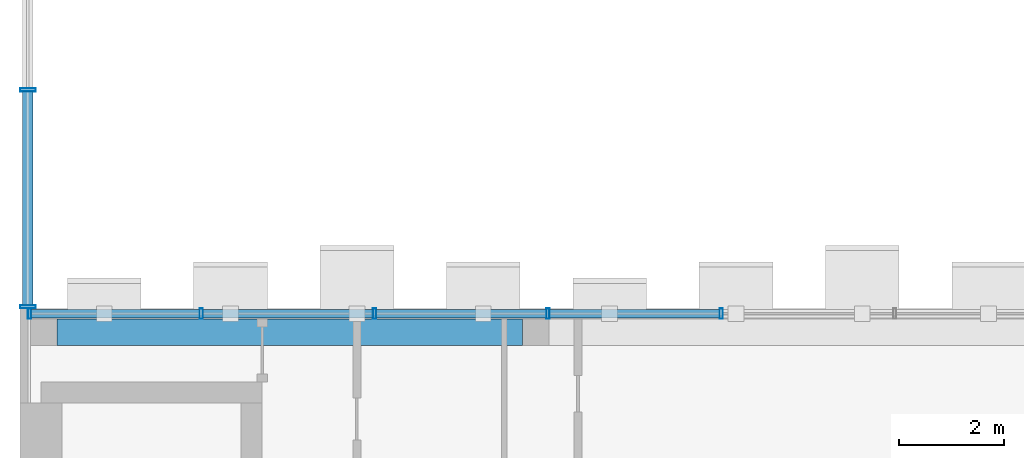
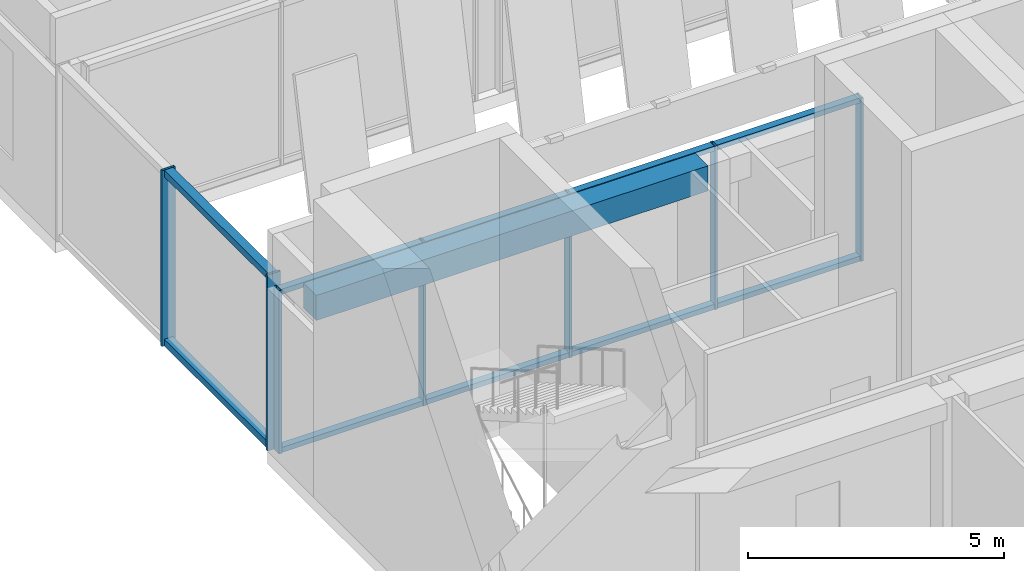
# One storey, part 5 of 26: 17 members, 1 beam, 2 elements without a shape of their own.
"""IFC4 building model written with IfcOpenShell, lengths in metres."""

from ifc_helpers import new_model, si_unit, direction, frame, origin, origin_2d, place, context, subcontext, project, spatial, rectangle, hollow_rectangle, extrude, material, layer, layer_set, material_profile, profile_set, type_object, element, aggregate, save


model = new_model("IFC4")

# Units and contexts
model_context = context("Model", 3, precision=1e-05, world=origin(), true_north=direction((0.0, 1.0)))
body_context = subcontext(model_context, "Body", "Model", "MODEL_VIEW")
ifc_project = project(units=[si_unit("LENGTHUNIT", "METRE"), si_unit("AREAUNIT", "SQUARE_METRE"), si_unit("VOLUMEUNIT", "CUBIC_METRE"), si_unit("PLANEANGLEUNIT", "RADIAN"), si_unit("MASSUNIT", "GRAM", prefix="KILO")], contexts=[model_context])

# Site, building, storey
site_placement = place(None, origin())
site = spatial("IfcSite", under=ifc_project, at=site_placement, CompositionType="ELEMENT")
building_placement = place(site_placement, origin())
building = spatial("IfcBuilding", under=site, at=building_placement, Name="Nzadi Deep Aquarium and Research Tower", CompositionType="ELEMENT")
storey_placement = place(building_placement, frame((0.0, 0.0, 78.10009765625)))
storey = spatial("IfcBuildingStorey", under=building, at=storey_placement, Name="L16", CompositionType="ELEMENT", Elevation=78.10009765625)

# Curtain wall, members
ifc_material_1 = material(Name="Aluminium unitised frame", Category="aluminium")
ifc_layer_1 = layer(ifc_material_1, 0.199951171875)
ifc_layer_set_1 = layer_set([ifc_layer_1], Name="Aluminium unitised frame")
curtain_wall_type_1 = type_object("IfcCurtainWallType", Name="Curtain wall Unitised 200", PredefinedType="NOTDEFINED", material=ifc_layer_set_1)
curtain_wall_1_placement = place(storey_placement, origin())
curtain_wall_1 = element("IfcCurtainWall", 1, at=curtain_wall_1_placement, inside=storey, type_object=curtain_wall_type_1, Name="Unitised curtain wall blade A north L16", PredefinedType="NOTDEFINED")
ifc_material_2 = material(Name="Aluminium unitised frame", Category="aluminium")
ifc_material_profile_1 = material_profile(ifc_material_2, hollow_rectangle(XDim=0.199951171875, YDim=0.06005859375, WallThickness=0.0048828125, at=origin_2d()))
ifc_profile_set_1 = profile_set([ifc_material_profile_1], Name="Aluminium unitised frame")
member_type_1 = type_object("IfcMemberType", Name="Mullion 60x200 Unitised", PredefinedType="MULLION", material=ifc_profile_set_1)
member_1_placement = place(storey_placement, frame((-0.02001953125, 18.75, 0.0), z_axis=(0.0, 0.0, 1.0), x_axis=(0.0, 1.0, 0.0)))
member_1 = element("IfcMember", 2, at=member_1_placement, type_object=member_type_1, Name="CW076 mullion 1", PredefinedType="MULLION", context=body_context, shape_type="SweptSolid", body=[
    extrude(hollow_rectangle(XDim=0.199951171875, YDim=0.06005859375, WallThickness=0.0048828125, at=origin_2d()), origin(), (0.0, 0.0, 1.0), 3.89990234375),
])
member_2_placement = place(storey_placement, frame((3.242919921875, 18.75, 0.0), z_axis=(0.0, 0.0, 1.0), x_axis=(0.0, 1.0, 0.0)))
member_2 = element("IfcMember", 3, at=member_2_placement, type_object=member_type_1, Name="CW076 mullion 2", PredefinedType="MULLION", context=body_context, shape_type="SweptSolid", body=[
    extrude(hollow_rectangle(XDim=0.199951171875, YDim=0.06005859375, WallThickness=0.0048828125, at=origin_2d()), origin(), (0.0, 0.0, 1.0), 3.89990234375),
])
member_3_placement = place(storey_placement, frame((6.53564453125, 18.75, 0.0), z_axis=(0.0, 0.0, 1.0), x_axis=(0.0, 1.0, 0.0)))
member_3 = element("IfcMember", 4, at=member_3_placement, type_object=member_type_1, Name="CW076 mullion 3", PredefinedType="MULLION", context=body_context, shape_type="SweptSolid", body=[
    extrude(hollow_rectangle(XDim=0.199951171875, YDim=0.06005859375, WallThickness=0.0048828125, at=origin_2d()), origin(), (0.0, 0.0, 1.0), 3.89990234375),
])
member_4_placement = place(storey_placement, frame((9.82861328125, 18.75, 0.0), z_axis=(0.0, 0.0, 1.0), x_axis=(0.0, 1.0, 0.0)))
member_4 = element("IfcMember", 5, at=member_4_placement, type_object=member_type_1, Name="CW076 mullion 4", PredefinedType="MULLION", context=body_context, shape_type="SweptSolid", body=[
    extrude(hollow_rectangle(XDim=0.199951171875, YDim=0.06005859375, WallThickness=0.0048828125, at=origin_2d()), origin(), (0.0, 0.0, 1.0), 3.89990234375),
])
member_5_placement = place(storey_placement, frame((13.121337890625, 18.75, 0.0), z_axis=(0.0, 0.0, 1.0), x_axis=(0.0, 1.0, 0.0)))
member_5 = element("IfcMember", 6, at=member_5_placement, type_object=member_type_1, Name="CW076 mullion 5", PredefinedType="MULLION", context=body_context, shape_type="SweptSolid", body=[
    extrude(hollow_rectangle(XDim=0.199951171875, YDim=0.06005859375, WallThickness=0.0048828125, at=origin_2d()), origin(), (0.0, 0.0, 1.0), 3.89990234375),
])

ifc_material_3 = material(Name="Aluminium unitised frame wind post", Category="aluminium")
ifc_layer_2 = layer(ifc_material_3, 0.300048828125)
ifc_layer_set_2 = layer_set([ifc_layer_2], Name="Aluminium unitised frame wind post")
curtain_wall_type_2 = type_object("IfcCurtainWallType", Name="Curtain wall Slot End 300", PredefinedType="NOTDEFINED", material=ifc_layer_set_2)
curtain_wall_2_placement = place(storey_placement, origin())
curtain_wall_2 = element("IfcCurtainWall", 7, at=curtain_wall_2_placement, inside=storey, type_object=curtain_wall_type_2, Name="Glazed slot end west L16", PredefinedType="NOTDEFINED")
ifc_material_4 = material(Name="Aluminium unitised frame wind post", Category="aluminium")
ifc_material_profile_2 = material_profile(ifc_material_4, hollow_rectangle(XDim=0.300048828125, YDim=0.06005859375, WallThickness=0.0048828125, at=origin_2d()))
ifc_profile_set_2 = profile_set([ifc_material_profile_2], Name="Aluminium unitised frame wind post")
member_type_2 = type_object("IfcMemberType", Name="Mullion 60x300 Slot End", PredefinedType="MULLION", material=ifc_profile_set_2)
member_6_placement = place(storey_placement, frame((-0.049560546875, 18.8798828125, 0.0), z_axis=(0.0, 0.0, 1.0), x_axis=(-1.0, 0.0, 0.0)))
member_6 = element("IfcMember", 8, at=member_6_placement, type_object=member_type_2, Name="CW223 mullion 1", PredefinedType="MULLION", context=body_context, shape_type="SweptSolid", body=[
    extrude(hollow_rectangle(XDim=0.300048828125, YDim=0.06005859375, WallThickness=0.0048828125, at=origin_2d()), origin(), (0.0, 0.0, 1.0), 4.199951171875),
])
member_7_placement = place(storey_placement, frame((-0.049560546875, 23.0, 0.0), z_axis=(0.0, 0.0, 1.0), x_axis=(-1.0, 0.0, 0.0)))
member_7 = element("IfcMember", 9, at=member_7_placement, type_object=member_type_2, Name="CW223 mullion 2", PredefinedType="MULLION", context=body_context, shape_type="SweptSolid", body=[
    extrude(hollow_rectangle(XDim=0.300048828125, YDim=0.06005859375, WallThickness=0.0048828125, at=origin_2d()), origin(), (0.0, 0.0, 1.0), 4.199951171875),
])

# Beam
ifc_material_5 = material(Name="Concrete C35/45", Category="concrete")
ifc_material_profile_3 = material_profile(ifc_material_5, rectangle(XDim=0.5, YDim=0.60009765625, at=origin_2d()))
ifc_profile_set_3 = profile_set([ifc_material_profile_3], Name="Concrete C35/45")
beam_type = type_object("IfcBeamType", Name="RC 500x600", PredefinedType="BEAM", material=ifc_profile_set_3)
beam_placement = place(storey_placement, frame((0.5, 18.39990234375, 3.599853515625), z_axis=(1.0, 0.0, 0.0), x_axis=(0.0, 1.0, 0.0)))
element("IfcBeam", 10, at=beam_placement, inside=storey, type_object=beam_type, Name="B-Z1-L16-L3-1", PredefinedType="BEAM", context=body_context, shape_type="SweptSolid", body=[
    extrude(rectangle(XDim=0.5, YDim=0.60009765625, at=origin_2d()), origin(), (0.0, 0.0, 1.0), 8.85009765625),
])

# Member
ifc_material_6 = material(Name="Aluminium unitised frame", Category="aluminium")
ifc_material_profile_4 = material_profile(ifc_material_6, hollow_rectangle(XDim=0.159912109375, YDim=0.1201171875, WallThickness=0.0048828125, at=origin_2d()))
ifc_profile_set_4 = profile_set([ifc_material_profile_4], Name="Aluminium unitised frame")
member_type_3 = type_object("IfcMemberType", Name="Transom 120x160 Unitised", PredefinedType="MULLION", material=ifc_profile_set_4)
member_8_placement = place(storey_placement, frame((0.010009765625, 18.75, 0.059814453125), z_axis=(1.0, 0.0, 0.0), x_axis=(0.0, 1.0, 0.0)))
member_8 = element("IfcMember", 11, at=member_8_placement, type_object=member_type_3, Name="CW076 transom 1.1", PredefinedType="MULLION", context=body_context, shape_type="SweptSolid", body=[
    extrude(hollow_rectangle(XDim=0.159912109375, YDim=0.1201171875, WallThickness=0.0048828125, at=origin_2d()), origin(), (0.0, 0.0, 1.0), 3.202880859375),
])

member_9_placement = place(storey_placement, frame((0.010009765625, 18.75, 3.83984375), z_axis=(1.0, 0.0, 0.0), x_axis=(0.0, 1.0, 0.0)))
member_9 = element("IfcMember", 12, at=member_9_placement, type_object=member_type_3, Name="CW076 transom 1.2", PredefinedType="MULLION", context=body_context, shape_type="SweptSolid", body=[
    extrude(hollow_rectangle(XDim=0.159912109375, YDim=0.1201171875, WallThickness=0.0048828125, at=origin_2d()), origin(), (0.0, 0.0, 1.0), 3.202880859375),
])

member_10_placement = place(storey_placement, frame((3.27294921875, 18.75, 0.059814453125), z_axis=(1.0, 0.0, 0.0), x_axis=(0.0, 1.0, 0.0)))
member_10 = element("IfcMember", 13, at=member_10_placement, type_object=member_type_3, Name="CW076 transom 2.1", PredefinedType="MULLION", context=body_context, shape_type="SweptSolid", body=[
    extrude(hollow_rectangle(XDim=0.159912109375, YDim=0.1201171875, WallThickness=0.0048828125, at=origin_2d()), origin(), (0.0, 0.0, 1.0), 3.232666015625),
])

member_11_placement = place(storey_placement, frame((3.27294921875, 18.75, 3.83984375), z_axis=(1.0, 0.0, 0.0), x_axis=(0.0, 1.0, 0.0)))
member_11 = element("IfcMember", 14, at=member_11_placement, type_object=member_type_3, Name="CW076 transom 2.2", PredefinedType="MULLION", context=body_context, shape_type="SweptSolid", body=[
    extrude(hollow_rectangle(XDim=0.159912109375, YDim=0.1201171875, WallThickness=0.0048828125, at=origin_2d()), origin(), (0.0, 0.0, 1.0), 3.232666015625),
])

member_12_placement = place(storey_placement, frame((6.565673828125, 18.75, 0.059814453125), z_axis=(1.0, 0.0, 0.0), x_axis=(0.0, 1.0, 0.0)))
member_12 = element("IfcMember", 15, at=member_12_placement, type_object=member_type_3, Name="CW076 transom 3.1", PredefinedType="MULLION", context=body_context, shape_type="SweptSolid", body=[
    extrude(hollow_rectangle(XDim=0.159912109375, YDim=0.1201171875, WallThickness=0.0048828125, at=origin_2d()), origin(), (0.0, 0.0, 1.0), 3.23291015625),
])

member_13_placement = place(storey_placement, frame((6.565673828125, 18.75, 3.83984375), z_axis=(1.0, 0.0, 0.0), x_axis=(0.0, 1.0, 0.0)))
member_13 = element("IfcMember", 16, at=member_13_placement, type_object=member_type_3, Name="CW076 transom 3.2", PredefinedType="MULLION", context=body_context, shape_type="SweptSolid", body=[
    extrude(hollow_rectangle(XDim=0.159912109375, YDim=0.1201171875, WallThickness=0.0048828125, at=origin_2d()), origin(), (0.0, 0.0, 1.0), 3.23291015625),
])

member_14_placement = place(storey_placement, frame((9.858642578125, 18.75, 0.059814453125), z_axis=(1.0, 0.0, 0.0), x_axis=(0.0, 1.0, 0.0)))
member_14 = element("IfcMember", 17, at=member_14_placement, type_object=member_type_3, Name="CW076 transom 4.1", PredefinedType="MULLION", context=body_context, shape_type="SweptSolid", body=[
    extrude(hollow_rectangle(XDim=0.159912109375, YDim=0.1201171875, WallThickness=0.0048828125, at=origin_2d()), origin(), (0.0, 0.0, 1.0), 3.232666015625),
])

member_15_placement = place(storey_placement, frame((9.858642578125, 18.75, 3.83984375), z_axis=(1.0, 0.0, 0.0), x_axis=(0.0, 1.0, 0.0)))
member_15 = element("IfcMember", 18, at=member_15_placement, type_object=member_type_3, Name="CW076 transom 4.2", PredefinedType="MULLION", context=body_context, shape_type="SweptSolid", body=[
    extrude(hollow_rectangle(XDim=0.159912109375, YDim=0.1201171875, WallThickness=0.0048828125, at=origin_2d()), origin(), (0.0, 0.0, 1.0), 3.232666015625),
])

aggregate(curtain_wall_1, [member_1, member_2, member_3, member_4, member_5, member_8, member_9, member_10, member_11, member_12, member_13, member_14, member_15])

ifc_material_7 = material(Name="Aluminium unitised frame wind post", Category="aluminium")
ifc_material_profile_5 = material_profile(ifc_material_7, hollow_rectangle(XDim=0.199951171875, YDim=0.159912109375, WallThickness=0.0048828125, at=origin_2d()))
ifc_profile_set_5 = profile_set([ifc_material_profile_5], Name="Aluminium unitised frame wind post")
member_type_4 = type_object("IfcMemberType", Name="Transom 160x200 Slot End", PredefinedType="MULLION", material=ifc_profile_set_5)
member_16_placement = place(storey_placement, frame((-0.050048828125, 18.909912109375, 0.079833984375), z_axis=(0.0, 1.0, 0.0), x_axis=(-1.0, 0.0, 0.0)))
member_16 = element("IfcMember", 19, at=member_16_placement, type_object=member_type_4, Name="CW223 transom 1.1", PredefinedType="MULLION", context=body_context, shape_type="SweptSolid", body=[
    extrude(hollow_rectangle(XDim=0.199951171875, YDim=0.159912109375, WallThickness=0.0048828125, at=origin_2d()), origin(), (0.0, 0.0, 1.0), 4.06005859375),
])

member_17_placement = place(storey_placement, frame((-0.050048828125, 18.909912109375, 4.119873046875), z_axis=(0.0, 1.0, 0.0), x_axis=(-1.0, 0.0, 0.0)))
member_17 = element("IfcMember", 20, at=member_17_placement, type_object=member_type_4, Name="CW223 transom 1.2", PredefinedType="MULLION", context=body_context, shape_type="SweptSolid", body=[
    extrude(hollow_rectangle(XDim=0.199951171875, YDim=0.159912109375, WallThickness=0.0048828125, at=origin_2d()), origin(), (0.0, 0.0, 1.0), 4.06005859375),
])

aggregate(curtain_wall_2, [member_6, member_7, member_16, member_17])

save(model, "model.ifc")
